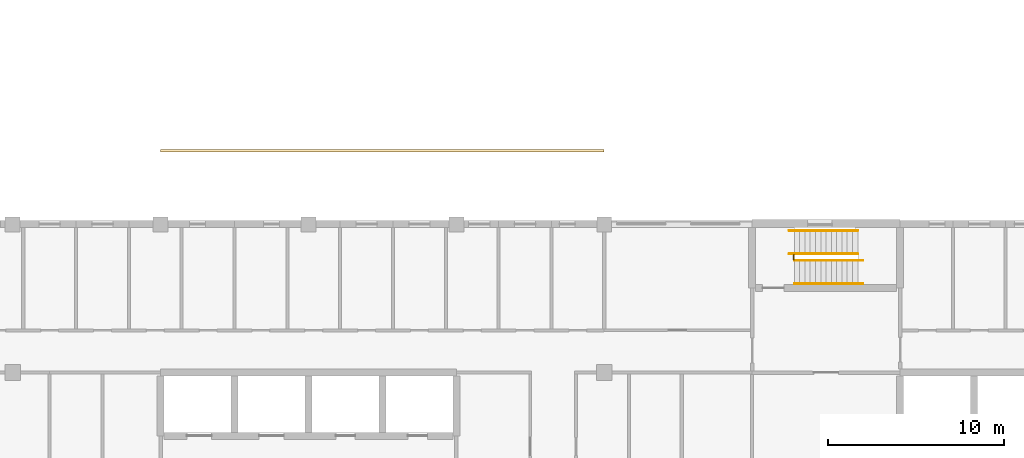
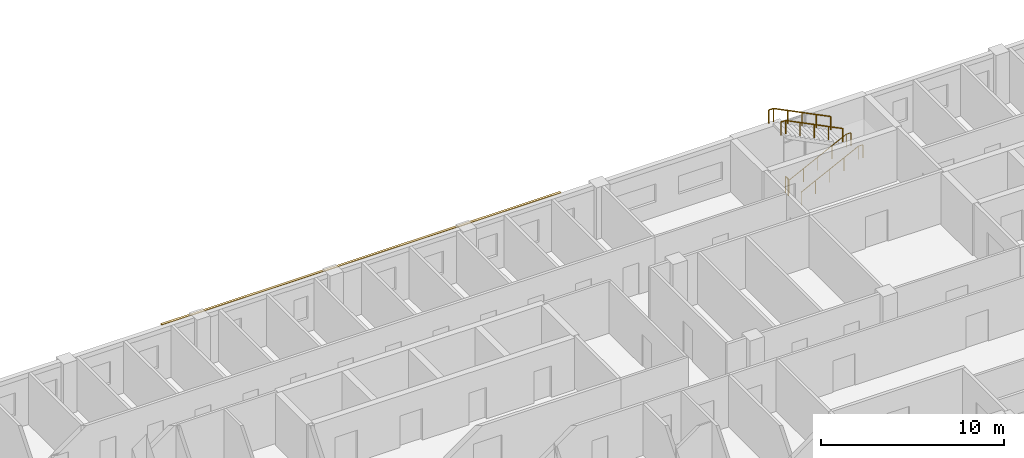
# One storey, part 87 of 94: 5 railings, 1 covering.
"""IFC4 building model written with IfcOpenShell, lengths in metres."""

from ifc_helpers import new_model, si_unit, direction, frame, origin, origin_2d, place, context, subcontext, project, spatial, rectangle, circle, extrude, material, layer, layer_set, type_object, element, save


model = new_model("IFC4")

# Units and contexts
model_context = context("Model", 3, precision=1e-05, world=origin(), true_north=direction((0.0, 1.0)))
body_context = subcontext(model_context, "Body", "Model", "MODEL_VIEW")
ifc_project = project(units=[si_unit("LENGTHUNIT", "METRE"), si_unit("AREAUNIT", "SQUARE_METRE"), si_unit("VOLUMEUNIT", "CUBIC_METRE"), si_unit("PLANEANGLEUNIT", "RADIAN"), si_unit("MASSUNIT", "GRAM", prefix="KILO")], contexts=[model_context])

# Site, building, storey
site_placement = place(None, origin())
site = spatial("IfcSite", under=ifc_project, at=site_placement, CompositionType="ELEMENT")
building_placement = place(site_placement, origin())
building = spatial("IfcBuilding", under=site, at=building_placement, Name="Yavir Park General Hospital", CompositionType="ELEMENT")
storey_placement = place(building_placement, frame((0.0, 0.0, 4.5)))
storey = spatial("IfcBuildingStorey", under=building, at=storey_placement, Name="L01", CompositionType="ELEMENT", Elevation=4.5)

# Covering
ifc_material_1 = material(Name="Aluminium ridge capping with gasket", Category="aluminium")
ifc_layer = layer(ifc_material_1, 0.050048828125)
ifc_layer_set = layer_set([ifc_layer], Name="Aluminium ridge capping with gasket")
covering_type = type_object("IfcCoveringType", Name="Glazed roof ridge capping 50", PredefinedType="ROOFING", material=ifc_layer_set)
covering_placement = place(storey_placement, frame((88.199951171875, 37.800048828125, 0.1943359375), z_axis=(0.0, 0.0, 1.0), x_axis=(1.0, 0.0, 0.0)))
element("IfcCovering", 1, at=covering_placement, inside=storey, type_object=covering_type, Name="Glazed foyer roof ridge capping", PredefinedType="ROOFING", context=body_context, shape_type="SweptSolid", body=[
    extrude(rectangle(XDim=25.199951171875, YDim=0.15283203125, at=origin_2d()), origin(), (0.0, 0.0, 1.0), 0.050048828125),
])

# Railings
ifc_material_2 = material(Name="Steel balustrade with infill rods", Category="steel")
railing_type_1 = type_object("IfcRailingType", Name="Stair guard, steel balustrade 1100 mm", PredefinedType="GUARDRAIL", material=ifc_material_2)
railing_placement = place(storey_placement, frame((111.570068359375, 31.60009765625, 0.0)))
element("IfcRailing", 2, at=railing_placement, inside=storey, type_object=railing_type_1, Name="Stair well guard PN2 L01", PredefinedType="GUARDRAIL", context=body_context, shape_type="SweptSolid", body=[
    extrude(circle(Radius=0.02392578125, at=origin_2d()), frame((0.0, 0.0, 1.076171875), z_axis=(0.0, 1.0, 0.0), x_axis=(-1.0, 0.0, 0.0)), (0.0, 0.0, 1.0), 0.2998046875),
    extrude(circle(Radius=0.02099609375, at=origin_2d()), origin(), (0.0, 0.0, 1.0), 1.052001953125),
    extrude(circle(Radius=0.02099609375, at=origin_2d()), frame((0.0, 0.2998046875, 0.0)), (0.0, 0.0, 1.0), 1.052001953125),
])
ifc_material_3 = material(Name="Stainless steel tube 48 mm", Category="steel")
railing_type_2 = type_object("IfcRailingType", Name="Stair handrail, steel tube, 900 mm above the nosings", PredefinedType="HANDRAIL", material=ifc_material_3)
for number, where, name in (
    (3, (111.60009765625, 30.239990234375, 0.14990234375), "Handrail PN2 L01 1"),
    (4, (111.60009765625, 31.56005859375, 0.14990234375), "Handrail PN2 L01 2"),
):
    element("IfcRailing", number, at=place(storey_placement, frame(where)), inside=storey, type_object=railing_type_2, Name=name, PredefinedType="HANDRAIL", context=body_context, shape_type="SweptSolid", body=[
        extrude(circle(Radius=0.02392578125, at=origin_2d()), frame((0.0, 0.0, 0.8759765625), z_axis=(0.894415058897, 0.0, 0.447237858884), x_axis=(0.0, 1.0, 0.0)), (0.0, 0.0, 1.0), 4.02490234375),
        extrude(circle(Radius=0.02392578125, at=origin_2d()), frame((3.599853515625, 0.0, 2.67578125), z_axis=(1.0, 0.0, 0.0), x_axis=(0.0, 1.0, 0.0)), (0.0, 0.0, 1.0), 0.300048828125),
        extrude(circle(Radius=0.02099609375, at=origin_2d()), origin(), (0.0, 0.0, 1.0), 0.851806640625),
        extrude(circle(Radius=0.02099609375, at=origin_2d()), frame((0.89990234375, 0.0, 0.449951171875)), (0.0, 0.0, 1.0), 0.851806640625),
        extrude(circle(Radius=0.02099609375, at=origin_2d()), frame((1.7998046875, 0.0, 0.89990234375)), (0.0, 0.0, 1.0), 0.851806640625),
        extrude(circle(Radius=0.02099609375, at=origin_2d()), frame((2.699951171875, 0.0, 1.35009765625)), (0.0, 0.0, 1.0), 0.851806640625),
        extrude(circle(Radius=0.02099609375, at=origin_2d()), frame((3.599853515625, 0.0, 1.800048828125)), (0.0, 0.0, 1.0), 0.851806640625),
        extrude(circle(Radius=0.02099609375, at=origin_2d()), frame((3.89990234375, 0.0, 1.800048828125)), (0.0, 0.0, 1.0), 0.851806640625),
    ])
for number, where, name in (
    (5, (115.199951171875, 33.260009765625, 2.10009765625), "Handrail PN2 L01 3"),
    (6, (115.199951171875, 31.93994140625, 2.10009765625), "Handrail PN2 L01 4"),
):
    element("IfcRailing", number, at=place(storey_placement, frame(where)), inside=storey, type_object=railing_type_2, Name=name, PredefinedType="HANDRAIL", context=body_context, shape_type="SweptSolid", body=[
        extrude(circle(Radius=0.02392578125, at=origin_2d()), frame((0.0, 0.0, 0.8759765625), z_axis=(-0.894439322774, 0.0, 0.447189331129), x_axis=(0.0, -1.0, 0.0)), (0.0, 0.0, 1.0), 4.024658203125),
        extrude(circle(Radius=0.02392578125, at=origin_2d()), frame((-3.599853515625, 0.0, 2.67578125), z_axis=(-1.0, 0.0, 0.0), x_axis=(0.0, -1.0, 0.0)), (0.0, 0.0, 1.0), 0.300048828125),
        extrude(circle(Radius=0.02099609375, at=origin_2d()), origin(), (0.0, 0.0, 1.0), 0.851806640625),
        extrude(circle(Radius=0.02099609375, at=origin_2d()), frame((-0.89990234375, 0.0, 0.449951171875)), (0.0, 0.0, 1.0), 0.851806640625),
        extrude(circle(Radius=0.02099609375, at=origin_2d()), frame((-1.7998046875, 0.0, 0.89990234375)), (0.0, 0.0, 1.0), 0.851806640625),
        extrude(circle(Radius=0.02099609375, at=origin_2d()), frame((-2.699951171875, 0.0, 1.349853515625)), (0.0, 0.0, 1.0), 0.851806640625),
        extrude(circle(Radius=0.02099609375, at=origin_2d()), frame((-3.599853515625, 0.0, 1.7998046875)), (0.0, 0.0, 1.0), 0.851806640625),
        extrude(circle(Radius=0.02099609375, at=origin_2d()), frame((-3.89990234375, 0.0, 1.7998046875)), (0.0, 0.0, 1.0), 0.851806640625),
    ])

save(model, "model.ifc")
